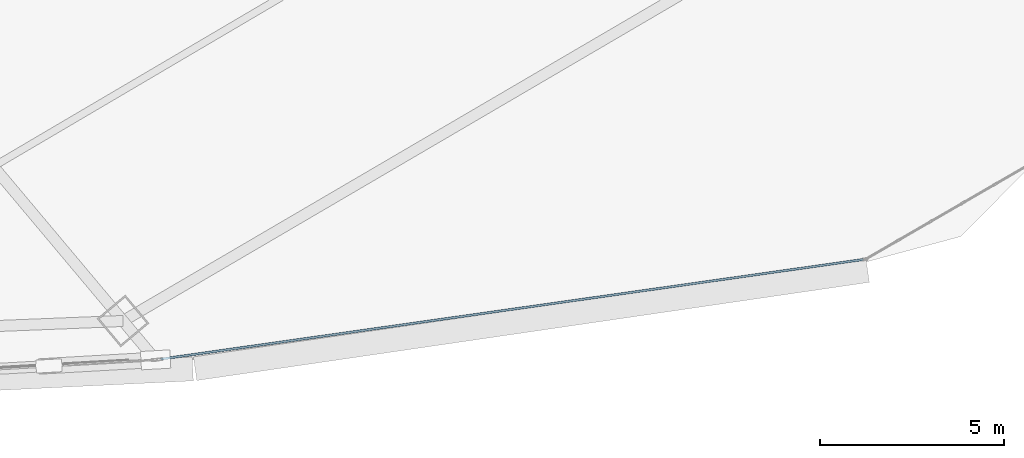
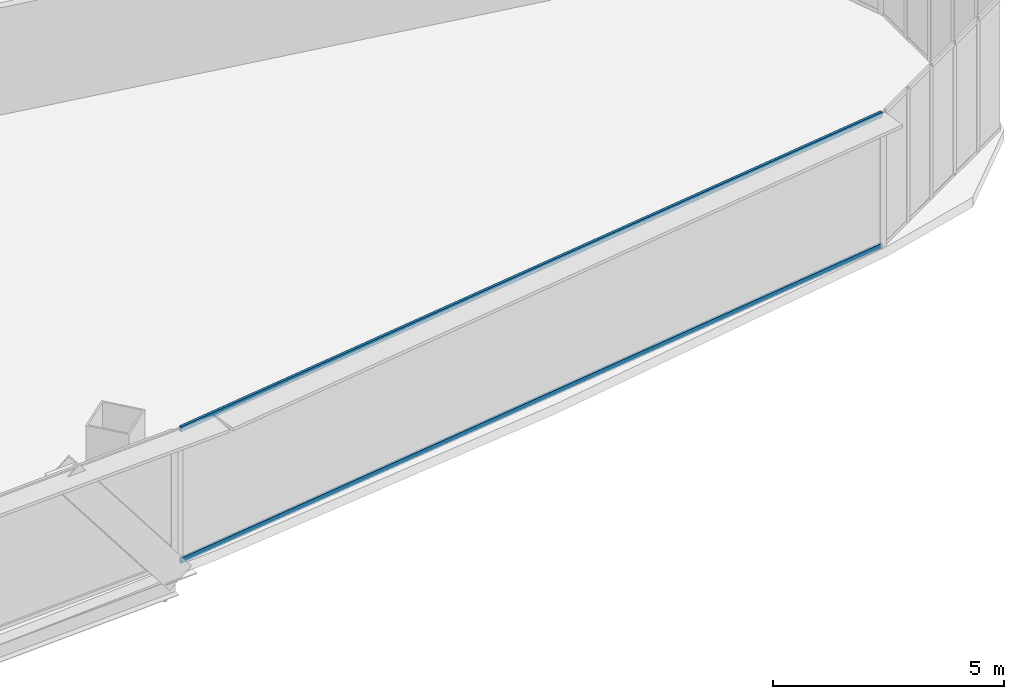
# One storey, part 21 of 41: 2 members, 1 element without a shape of its own.
"""IFC4 building model written with IfcOpenShell, lengths in metres."""

from ifc_helpers import new_model, si_unit, direction, frame, origin, origin_2d, place, context, subcontext, project, spatial, hollow_rectangle, extrude, source, transform, mapped, material, layer, layer_set, material_profile, profile_set, type_object, element, aggregate, save


model = new_model("IFC4")

# Units and contexts
model_context = context("Model", 3, precision=1e-05, world=origin(), true_north=direction((0.0, 1.0)))
body_context = subcontext(model_context, "Body", "Model", "MODEL_VIEW")
ifc_project = project(units=[si_unit("LENGTHUNIT", "METRE"), si_unit("AREAUNIT", "SQUARE_METRE"), si_unit("VOLUMEUNIT", "CUBIC_METRE"), si_unit("PLANEANGLEUNIT", "RADIAN"), si_unit("MASSUNIT", "GRAM", prefix="KILO"), si_unit("THERMODYNAMICTEMPERATUREUNIT", "KELVIN"), si_unit("POWERUNIT", "WATT")], contexts=[model_context])

# Site, building, storey
site_placement = place(None, origin())
site = spatial("IfcSite", under=ifc_project, at=site_placement, CompositionType="ELEMENT")
building_placement = place(site_placement, origin())
building = spatial("IfcBuilding", under=site, at=building_placement, Name="Yunzhuo Pagoda Commons", CompositionType="ELEMENT")
storey_placement = place(building_placement, frame((0.0, 0.0, 111.580078125)))
storey = spatial("IfcBuildingStorey", under=building, at=storey_placement, Name="L28", CompositionType="ELEMENT", Elevation=111.580078125)

# Curtain wall, members
ifc_material = material(Name="Anodized aluminium 6063-T6", Category="aluminium")
ifc_layer = layer(ifc_material, 0.1650390625)
ifc_layer_set = layer_set([ifc_layer], Name="Anodized aluminium 6063-T6")
curtain_wall_type = type_object("IfcCurtainWallType", Name="CW-LOW Low-Zone Ribbon Curtain Wall", PredefinedType="NOTDEFINED", material=ifc_layer_set)
curtain_wall_placement = place(storey_placement, origin())
curtain_wall = element("IfcCurtainWall", 1, at=curtain_wall_placement, inside=storey, type_object=curtain_wall_type, Name="L28 curtain wall CW-L28-F1B5", PredefinedType="NOTDEFINED")
ifc_material_profile = material_profile(ifc_material, hollow_rectangle(XDim=0.06005859375, YDim=0.139892578125, WallThickness=0.00341796875, at=origin_2d()), Name="Anodized aluminium 6063-T6")
ifc_profile_set = profile_set([ifc_material_profile], Name="Anodized aluminium 6063-T6")
member_type = type_object("IfcMemberType", Name="CW-LOW-T Transom RHS 140x60x3.5", PredefinedType="USERDEFINED", material=ifc_profile_set)
shared_shape = source(origin(), body_context, "Body", "SweptSolid", [
    extrude(hollow_rectangle(XDim=0.06005859375, YDim=0.139892578125, WallThickness=0.00341796875, at=origin_2d()), origin(), (0.0, 0.0, 1.0), 19.310546875),
])
member_1_placement = place(storey_placement, frame((65.46240234375, 13.073974609375, 0.030029296875), z_axis=(0.990093108947, 0.140412377004, 0.0), x_axis=(-0.140412377004, 0.990093108947, 0.0)))
member_1 = element("IfcMember", 2, at=member_1_placement, type_object=member_type, Name="CW transom 1.1", ObjectType="TRANSOM", PredefinedType="USERDEFINED", context=body_context, shape_type="MappedRepresentation", body=[
    mapped(shared_shape, transform((0.0, 0.0, 0.0), scale=1.0)),
])
member_2_placement = place(storey_placement, frame((65.46240234375, 13.073974609375, 3.510009765625), z_axis=(0.990093108947, 0.140412377004, 0.0), x_axis=(-0.140412377004, 0.990093108947, 0.0)))
member_2 = element("IfcMember", 3, at=member_2_placement, type_object=member_type, Name="CW transom 1.2", ObjectType="TRANSOM", PredefinedType="USERDEFINED", context=body_context, shape_type="MappedRepresentation", body=[
    mapped(shared_shape, transform((0.0, 0.0, 0.0), scale=1.0)),
])
aggregate(curtain_wall, [member_1, member_2])

save(model, "model.ifc")
